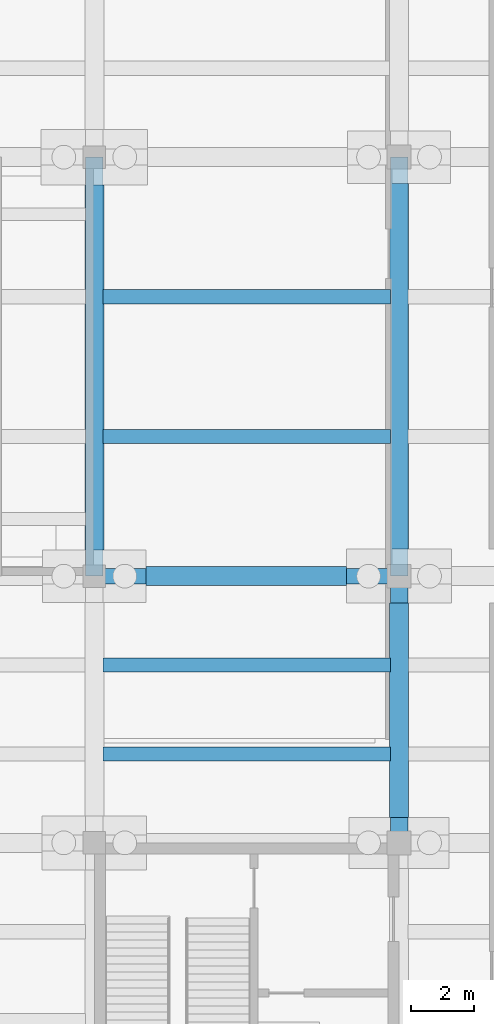
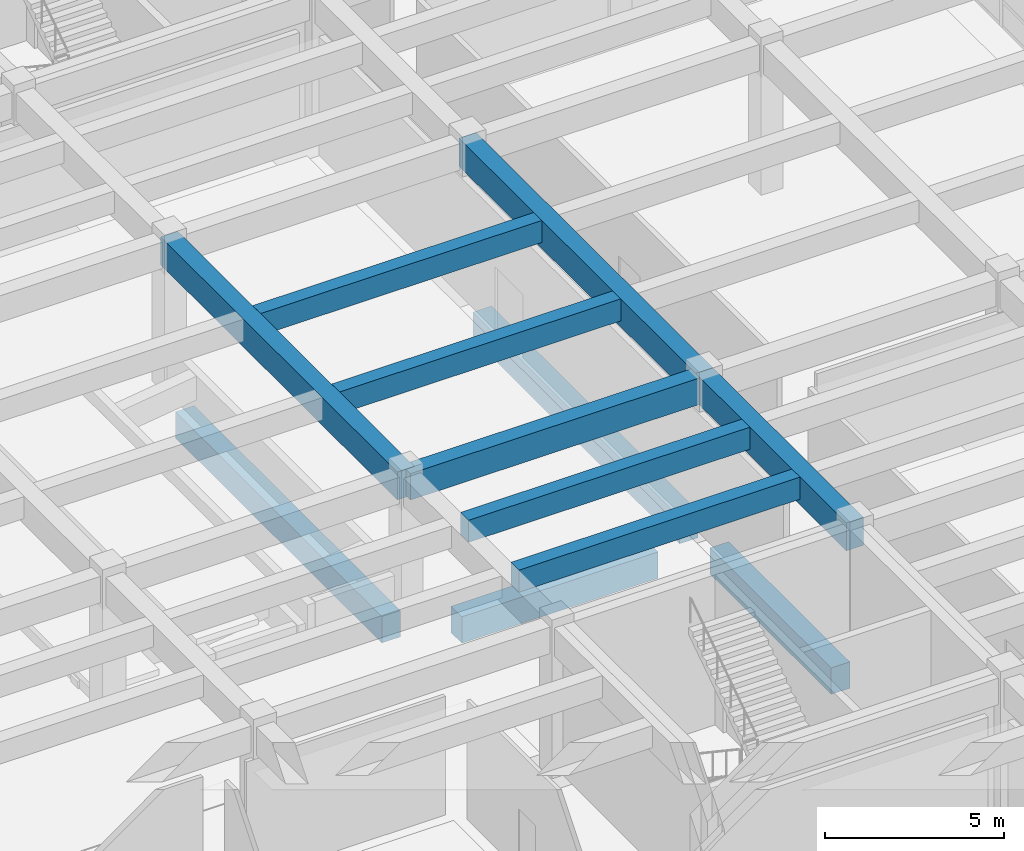
# One storey, part 16 of 102: 12 beams.
"""IFC4 building model written with IfcOpenShell, lengths in metres."""

from ifc_helpers import new_model, si_unit, direction, frame, origin, origin_2d, place, context, subcontext, project, spatial, rectangle, extrude, material, material_profile, profile_set, type_object, element, save


model = new_model("IFC4")

# Units and contexts
model_context = context("Model", 3, precision=1e-05, world=origin(), true_north=direction((0.0, 1.0)))
body_context = subcontext(model_context, "Body", "Model", "MODEL_VIEW")
ifc_project = project(units=[si_unit("LENGTHUNIT", "METRE"), si_unit("AREAUNIT", "SQUARE_METRE"), si_unit("VOLUMEUNIT", "CUBIC_METRE"), si_unit("PLANEANGLEUNIT", "RADIAN"), si_unit("MASSUNIT", "GRAM", prefix="KILO")], contexts=[model_context])

# Site, building, storey
site_placement = place(None, origin())
site = spatial("IfcSite", under=ifc_project, at=site_placement, CompositionType="ELEMENT")
building_placement = place(site_placement, origin())
building = spatial("IfcBuilding", under=site, at=building_placement, Name="Kolvemor Railside Polytechnic", CompositionType="ELEMENT")
storey_placement = place(building_placement, origin())
storey = spatial("IfcBuildingStorey", under=building, at=storey_placement, Name="L00", CompositionType="ELEMENT", Elevation=0.0)

# Beams
ifc_material_1 = material(Name="Concrete C40/50", Category="concrete")
ifc_material_profile_1 = material_profile(ifc_material_1, rectangle(XDim=0.550048828125, YDim=0.949951171875, at=origin_2d()), Name="RC550x950")
ifc_profile_set_1 = profile_set([ifc_material_profile_1], Name="Concrete C40/50")
beam_type_1 = type_object("IfcBeamType", Name="BM-RC-GIRD", PredefinedType="BEAM", material=ifc_profile_set_1)
beam_1_placement = place(storey_placement, frame((19.199951171875, 38.39990234375, 4.635009765625), z_axis=(0.0, 1.0, 0.0), x_axis=(-1.0, 0.0, 0.0)))
element("IfcBeam", 1, at=beam_1_placement, inside=storey, type_object=beam_type_1, Name="Primary Girder L01-GY 0073", PredefinedType="BEAM", context=body_context, shape_type="SweptSolid", body=[
    extrude(rectangle(XDim=0.550048828125, YDim=0.949951171875, at=origin_2d()), origin(), (0.0, 0.0, 1.0), 13.2001953125),
])
beam_2_placement = place(storey_placement, frame((28.800048828125, 30.0, 4.635009765625), z_axis=(0.0, 1.0, 0.0), x_axis=(-1.0, 0.0, 0.0)))
element("IfcBeam", 2, at=beam_2_placement, inside=storey, type_object=beam_type_1, Name="Primary Girder L01-GY 0081", PredefinedType="BEAM", context=body_context, shape_type="SweptSolid", body=[
    extrude(rectangle(XDim=0.550048828125, YDim=0.949951171875, at=origin_2d()), origin(), (0.0, 0.0, 1.0), 8.39990234375),
])
beam_3_placement = place(storey_placement, frame((28.800048828125, 38.39990234375, 4.635009765625), z_axis=(0.0, 1.0, 0.0), x_axis=(-1.0, 0.0, 0.0)))
element("IfcBeam", 3, at=beam_3_placement, inside=storey, type_object=beam_type_1, Name="Primary Girder L01-GY 0082", PredefinedType="BEAM", context=body_context, shape_type="SweptSolid", body=[
    extrude(rectangle(XDim=0.550048828125, YDim=0.949951171875, at=origin_2d()), origin(), (0.0, 0.0, 1.0), 13.2001953125),
])
ifc_material_2 = material(Name="Concrete C40/50", Category="concrete")
ifc_material_profile_2 = material_profile(ifc_material_2, rectangle(XDim=0.5, YDim=0.89990234375, at=origin_2d()), Name="RC500x900")
ifc_profile_set_2 = profile_set([ifc_material_profile_2], Name="Concrete C40/50")
beam_type_2 = type_object("IfcBeamType", Name="BM-RC-GIRD4", PredefinedType="BEAM", material=ifc_profile_set_2)
beam_4_placement = place(storey_placement, frame((19.199951171875, 38.39990234375, 4.659912109375), z_axis=(1.0, 0.0, 0.0), x_axis=(0.0, 1.0, 0.0)))
element("IfcBeam", 4, at=beam_4_placement, inside=storey, type_object=beam_type_2, Name="Primary Girder L01-GX 0023", PredefinedType="BEAM", context=body_context, shape_type="SweptSolid", body=[
    extrude(rectangle(XDim=0.5, YDim=0.89990234375, at=origin_2d()), origin(), (0.0, 0.0, 1.0), 9.60009765625),
])
ifc_material_3 = material(Name="Concrete C40/50", Category="concrete")
ifc_material_profile_3 = material_profile(ifc_material_3, rectangle(XDim=0.449951171875, YDim=0.75, at=origin_2d()), Name="RC450x750")
ifc_profile_set_3 = profile_set([ifc_material_profile_3], Name="Concrete C40/50")
beam_type_3 = type_object("IfcBeamType", Name="BM-RC-SEC", PredefinedType="JOIST", material=ifc_profile_set_3)
for number, where, z_axis, x_axis, name in (
    (5, (19.47509765625, 32.800048828125, 4.735107421875), (1.0, 0.0, 0.0), (0.0, 1.0, 0.0), "Floor Joist L01-J0145"),
    (6, (19.47509765625, 35.60009765625, 4.735107421875), (1.0, 0.0, 0.0), (0.0, 1.0, 0.0), "Floor Joist L01-J0146"),
    (7, (19.47509765625, 42.800048828125, 4.735107421875), (1.0, 0.0, 0.0), (0.0, 1.0, 0.0), "Floor Joist L01-J0147"),
    (8, (19.47509765625, 47.199951171875, 4.735107421875), (1.0, 0.0, 0.0), (0.0, 1.0, 0.0), "Floor Joist L01-J0148"),
):
    element("IfcBeam", number, at=place(storey_placement, frame(where, z_axis=z_axis, x_axis=x_axis)), inside=storey, type_object=beam_type_3, Name=name, PredefinedType="JOIST", context=body_context, shape_type="SweptSolid", body=[
        extrude(rectangle(XDim=0.449951171875, YDim=0.75, at=origin_2d()), origin(), (0.0, 0.0, 1.0), 9.0498046875),
    ])
ifc_material_4 = material(Name="Concrete C40/50", Category="concrete")
ifc_material_profile_4 = material_profile(ifc_material_4, rectangle(XDim=0.60009765625, YDim=0.89990234375, at=origin_2d()), Name="RC600x900")
ifc_profile_set_4 = profile_set([ifc_material_profile_4], Name="Concrete C40/50")
beam_type_4 = type_object("IfcBeamType", Name="BM-RC-TIE", PredefinedType="BEAM", material=ifc_profile_set_4)
beam_5_placement = place(storey_placement, frame((20.826904296875, 38.39990234375, -0.75), z_axis=(1.0, 0.0, 0.0), x_axis=(0.0, 1.0, 0.0)))
element("IfcBeam", 9, at=beam_5_placement, inside=storey, type_object=beam_type_4, Name="Ground Tie Beam GTB-X109", PredefinedType="BEAM", context=body_context, shape_type="SweptSolid", body=[
    extrude(rectangle(XDim=0.60009765625, YDim=0.89990234375, at=origin_2d()), origin(), (0.0, 0.0, 1.0), 6.321044921875),
])
beam_6_placement = place(storey_placement, frame((19.199951171875, 39.22705078125, -0.75), z_axis=(0.0, 1.0, 0.0), x_axis=(-1.0, 0.0, 0.0)))
element("IfcBeam", 10, at=beam_6_placement, inside=storey, type_object=beam_type_4, Name="Ground Tie Beam GTB-Y253", PredefinedType="BEAM", context=body_context, shape_type="SweptSolid", body=[
    extrude(rectangle(XDim=0.60009765625, YDim=0.89990234375, at=origin_2d()), origin(), (0.0, 0.0, 1.0), 11.495849609375),
])
beam_7_placement = place(storey_placement, frame((28.800048828125, 30.802001953125, -0.75), z_axis=(0.0, 1.0, 0.0), x_axis=(-1.0, 0.0, 0.0)))
element("IfcBeam", 11, at=beam_7_placement, inside=storey, type_object=beam_type_4, Name="Ground Tie Beam GTB-Y265", PredefinedType="BEAM", context=body_context, shape_type="SweptSolid", body=[
    extrude(rectangle(XDim=0.60009765625, YDim=0.89990234375, at=origin_2d()), origin(), (0.0, 0.0, 1.0), 6.74609375),
])
beam_8_placement = place(storey_placement, frame((28.800048828125, 39.251953125, -0.75), z_axis=(0.0, 1.0, 0.0), x_axis=(-1.0, 0.0, 0.0)))
element("IfcBeam", 12, at=beam_8_placement, inside=storey, type_object=beam_type_4, Name="Ground Tie Beam GTB-Y266", PredefinedType="BEAM", context=body_context, shape_type="SweptSolid", body=[
    extrude(rectangle(XDim=0.60009765625, YDim=0.89990234375, at=origin_2d()), origin(), (0.0, 0.0, 1.0), 11.52099609375),
])

save(model, "model.ifc")
